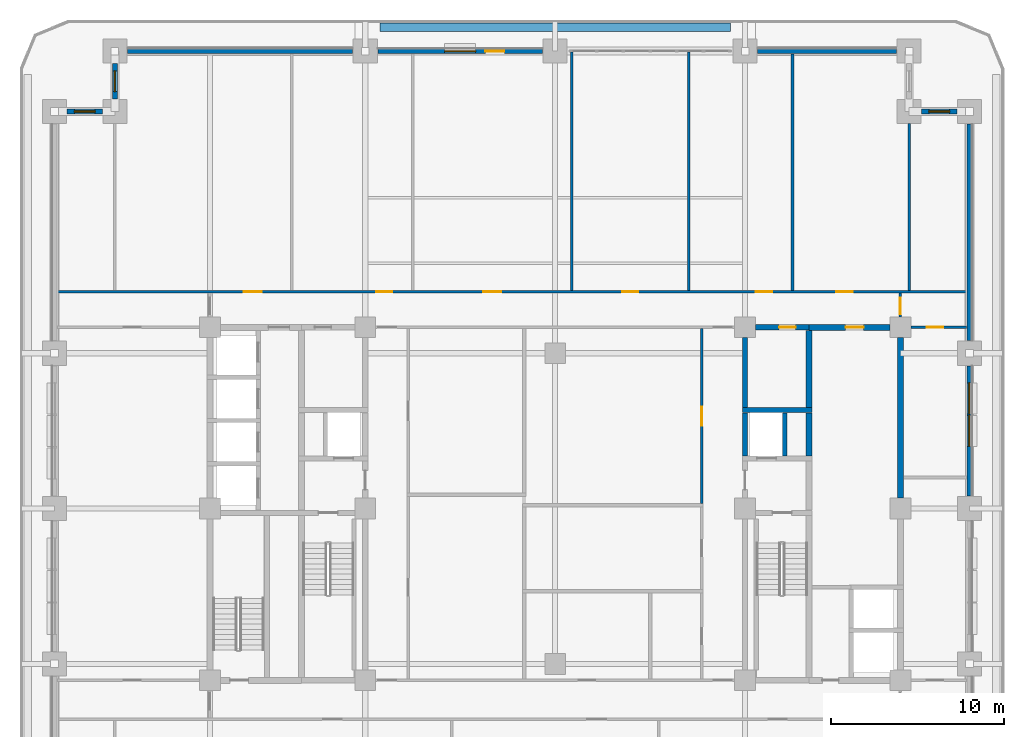
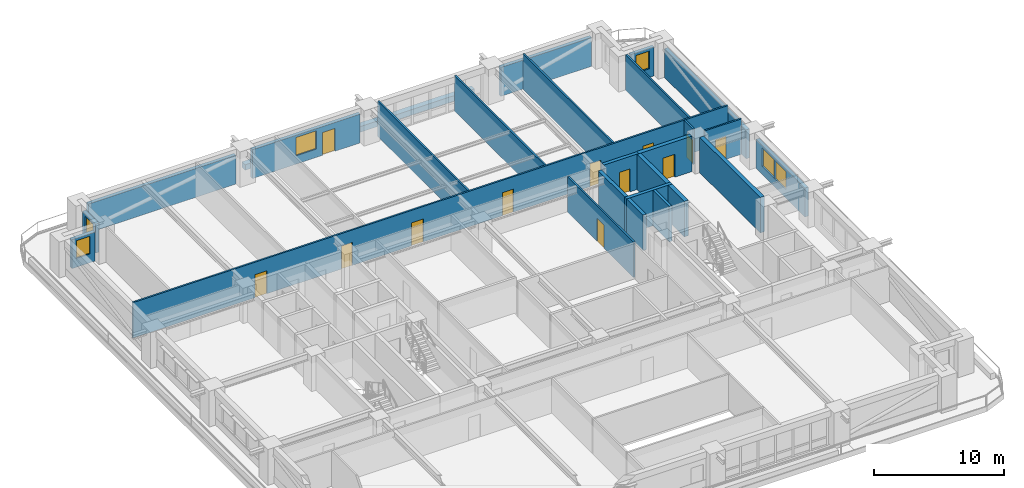
# One storey, part 11 of 20: 26 walls, 12 doors, 6 windows, 18 openings.
"""IFC4 building model written with IfcOpenShell, lengths in metres."""

from ifc_helpers import new_model, si_unit, direction, frame, frame_2d, origin, place, context, subcontext, project, spatial, rectangle, extrude, material, layer, layer_set, type_object, element, fill, save


model = new_model("IFC4")

# Units and contexts
model_context = context("Model", 3, precision=1e-05, world=origin(), true_north=direction((0.0, 1.0)))
body_context = subcontext(model_context, "Body", "Model", "MODEL_VIEW")
ifc_project = project(units=[si_unit("LENGTHUNIT", "METRE"), si_unit("AREAUNIT", "SQUARE_METRE"), si_unit("VOLUMEUNIT", "CUBIC_METRE"), si_unit("PLANEANGLEUNIT", "RADIAN"), si_unit("MASSUNIT", "GRAM", prefix="KILO")], contexts=[model_context])

# Site, building, storey
site_placement = place(None, origin())
site = spatial("IfcSite", under=ifc_project, at=site_placement, CompositionType="ELEMENT")
building_placement = place(site_placement, origin())
building = spatial("IfcBuilding", under=site, at=building_placement, Name="Zulmaris Gate Convention Tower", CompositionType="ELEMENT")
storey_placement = place(building_placement, frame((0.0, 0.0, 75.0400390625)))
storey = spatial("IfcBuildingStorey", under=building, at=storey_placement, Name="L18", CompositionType="ELEMENT", Elevation=75.0400390625)

# Walls
ifc_material_1 = material(Name="Concrete C50/60", Category="concrete")
ifc_layer_1 = layer(ifc_material_1, 0.25, Name="Concrete C50/60")
ifc_layer_set_1 = layer_set([ifc_layer_1], Name="Concrete C50/60")
wall_type_1 = type_object("IfcWallType", Name="CORE-250", PredefinedType="SOLIDWALL", material=ifc_layer_set_1)
wall_1_placement = place(storey_placement, frame((13.300048828125, 3.052001953125, 0.0), z_axis=(0.0, 0.0, 1.0), x_axis=(0.0, 1.0, 0.0)))
element("IfcWall", 1, at=wall_1_placement, inside=storey, type_object=wall_type_1, Name="WL-L18-060", PredefinedType="SOLIDWALL", context=body_context, shape_type="SweptSolid", body=[
    extrude(rectangle(XDim=2.49609375, YDim=0.25, at=frame_2d((1.248046875, 0.0))), origin(), (0.0, 0.0, 1.0), 3.31982421875),
])
ifc_layer_2 = layer(ifc_material_1, 0.300048828125, Name="Concrete C50/60")
ifc_layer_set_2 = layer_set([ifc_layer_2], Name="Concrete C50/60")
wall_type_2 = type_object("IfcWallType", Name="CORE-300", PredefinedType="SHEAR", material=ifc_layer_set_2)
wall_2_placement = place(storey_placement, frame((10.85009765625, 5.699951171875, 0.0), z_axis=(0.0, 0.0, 1.0), x_axis=(1.0, 0.0, 0.0)))
element("IfcWall", 2, at=wall_2_placement, inside=storey, type_object=wall_type_2, Name="WL-L18-014", PredefinedType="SHEAR", context=body_context, shape_type="SweptSolid", body=[
    extrude(rectangle(XDim=4.02490234375, YDim=0.300048828125, at=frame_2d((2.012451171875, 0.0))), origin(), (0.0, 0.0, 1.0), 3.31982421875),
])

# Wall, opening, door
wall_3_placement = place(storey_placement, frame((11.60400390625, 10.5, 0.0), z_axis=(0.0, 0.0, 1.0), x_axis=(1.0, 0.0, 0.0)))
wall_3 = element("IfcWall", 3, at=wall_3_placement, inside=storey, type_object=wall_type_2, Name="WL-L18-018", PredefinedType="SHEAR", context=body_context, shape_type="SweptSolid", body=[
    extrude(rectangle(XDim=3.095947265625, YDim=0.300048828125, at=frame_2d((1.5478515625, 0.0))), origin(), (0.0, 0.0, 1.0), 3.31982421875),
])
opening_1_placement = place(wall_3_placement, frame((1.37109375, 0.0, 0.0)))
opening_1 = element("IfcOpeningElement", 4, at=opening_1_placement, cuts=wall_3, Name="Opening D-11", PredefinedType="OPENING", context=body_context, shape_type="SweptSolid", body=[
    extrude(rectangle(XDim=0.949951171875, YDim=2.14990234375, at=frame_2d((0.47509765625, 1.074951171875))), frame((0.0, 0.16015625, 0.0), z_axis=(0.0, -1.0, 0.0), x_axis=(1.0, 0.0, 0.0)), (0.0, 0.0, 1.0), 0.320068359375),
])
ifc_material_2 = material(Name="Fire-Rated Timber", Category="wood")
door_type_1 = type_object("IfcDoorType", Name="DR-950-FD", OperationType="NOTDEFINED", PredefinedType="DOOR", material=ifc_material_2)
door_1_placement = place(opening_1_placement, origin())
door_1 = element("IfcDoor", 5, at=door_1_placement, inside=storey, type_object=door_type_1, Name="L18 Core Cleaners Store Door 08", OperationType="SINGLE_SWING_RIGHT", OverallHeight=2.14990234375, OverallWidth=0.949951171875, PredefinedType="DOOR", context=body_context, shape_type="SweptSolid", body=[
    extrude(rectangle(XDim=0.949951171875, YDim=2.14990234375, at=frame_2d((0.47509765625, 1.074951171875))), frame((0.0, 0.02490234375, 0.0), z_axis=(0.0, -1.0, 0.0), x_axis=(1.0, 0.0, 0.0)), (0.0, 0.0, 1.0), 0.050048828125),
])
fill(opening_1, door_1)

# Walls
wall_4_placement = place(storey_placement, frame((11.0, 3.052001953125, 0.0), z_axis=(0.0, 0.0, 1.0), x_axis=(0.0, 1.0, 0.0)))
element("IfcWall", 6, at=wall_4_placement, inside=storey, type_object=wall_type_2, Name="WL-L18-057", PredefinedType="SHEAR", context=body_context, shape_type="SweptSolid", body=[
    extrude(rectangle(XDim=2.49609375, YDim=0.300048828125, at=frame_2d((1.248046875, 0.0))), origin(), (0.0, 0.0, 1.0), 3.31982421875),
])
wall_5_placement = place(storey_placement, frame((11.0, 5.85205078125, 0.0), z_axis=(0.0, 0.0, 1.0), x_axis=(0.0, 1.0, 0.0)))
element("IfcWall", 7, at=wall_5_placement, inside=storey, type_object=wall_type_2, Name="WL-L18-058", PredefinedType="SHEAR", context=body_context, shape_type="SweptSolid", body=[
    extrude(rectangle(XDim=4.0439453125, YDim=0.300048828125, at=frame_2d((2.02197265625, 0.0))), origin(), (0.0, 0.0, 1.0), 3.31982421875),
])

# Wall, opening, door
ifc_material_3 = material(Name="Concrete C55/67", Category="concrete")
ifc_layer_3 = layer(ifc_material_3, 0.35009765625, Name="Concrete C55/67")
ifc_layer_set_3 = layer_set([ifc_layer_3], Name="Concrete C55/67")
wall_type_3 = type_object("IfcWallType", Name="CORE-350", PredefinedType="SHEAR", material=ifc_layer_set_3)
wall_6_placement = place(storey_placement, frame((14.699951171875, 10.5, 0.0), z_axis=(0.0, 0.0, 1.0), x_axis=(1.0, 0.0, 0.0)))
wall_6 = element("IfcWall", 8, at=wall_6_placement, inside=storey, type_object=wall_type_3, Name="WL-L18-019", PredefinedType="SHEAR", context=body_context, shape_type="SweptSolid", body=[
    extrude(rectangle(XDim=4.696044921875, YDim=0.35009765625, at=frame_2d((2.34814453125, 0.0))), origin(), (0.0, 0.0, 1.0), 3.31982421875),
])
opening_2_placement = place(wall_6_placement, frame((2.125, 0.0, 0.0)))
opening_2 = element("IfcOpeningElement", 9, at=opening_2_placement, cuts=wall_6, Name="Opening D-09", PredefinedType="OPENING", context=body_context, shape_type="SweptSolid", body=[
    extrude(rectangle(XDim=1.050048828125, YDim=2.14990234375, at=frame_2d((0.52490234375, 1.074951171875))), frame((0.0, 0.18505859375, 0.0), z_axis=(0.0, -1.0, 0.0), x_axis=(1.0, 0.0, 0.0)), (0.0, 0.0, 1.0), 0.3701171875),
])
ifc_material_4 = material(Name="Fire-Rated Steel", Category="steel")
door_type_2 = type_object("IfcDoorType", Name="DR-1050-FD", OperationType="NOTDEFINED", PredefinedType="DOOR", material=ifc_material_4)
door_2_placement = place(opening_2_placement, origin())
door_2 = element("IfcDoor", 10, at=door_2_placement, inside=storey, type_object=door_type_2, Name="L18 East Comms Room Door 16", OperationType="SINGLE_SWING_RIGHT", OverallHeight=2.14990234375, OverallWidth=1.050048828125, PredefinedType="DOOR", context=body_context, shape_type="SweptSolid", body=[
    extrude(rectangle(XDim=1.050048828125, YDim=2.14990234375, at=frame_2d((0.52490234375, 1.074951171875))), frame((0.0, 0.02490234375, 0.0), z_axis=(0.0, -1.0, 0.0), x_axis=(1.0, 0.0, 0.0)), (0.0, 0.0, 1.0), 0.050048828125),
])
fill(opening_2, door_2)

# Walls
wall_7_placement = place(storey_placement, frame((14.699951171875, 3.052001953125, 0.0), z_axis=(0.0, 0.0, 1.0), x_axis=(0.0, 1.0, 0.0)))
element("IfcWall", 11, at=wall_7_placement, inside=storey, type_object=wall_type_3, Name="WL-L18-063", PredefinedType="SHEAR", context=body_context, shape_type="SweptSolid", body=[
    extrude(rectangle(XDim=2.49609375, YDim=0.35009765625, at=frame_2d((1.248046875, 0.0))), origin(), (0.0, 0.0, 1.0), 3.31982421875),
])
wall_8_placement = place(storey_placement, frame((14.699951171875, 5.85205078125, 0.0), z_axis=(0.0, 0.0, 1.0), x_axis=(0.0, 1.0, 0.0)))
element("IfcWall", 12, at=wall_8_placement, inside=storey, type_object=wall_type_3, Name="WL-L18-064", PredefinedType="SHEAR", context=body_context, shape_type="SweptSolid", body=[
    extrude(rectangle(XDim=4.470947265625, YDim=0.35009765625, at=frame_2d((2.2353515625, 0.0))), origin(), (0.0, 0.0, 1.0), 3.31982421875),
])
wall_9_placement = place(storey_placement, frame((20.0, 0.60400390625, 0.0), z_axis=(0.0, 0.0, 1.0), x_axis=(0.0, 1.0, 0.0)))
element("IfcWall", 13, at=wall_9_placement, inside=storey, type_object=wall_type_3, Name="WL-L18-069S1", PredefinedType="SHEAR", context=body_context, shape_type="SweptSolid", body=[
    extrude(rectangle(XDim=9.2919921875, YDim=0.35009765625, at=frame_2d((4.64599609375, 0.0))), origin(), (0.0, 0.0, 1.0), 3.31982421875),
])

# Wall, opening, door
ifc_material_5 = material(Name="Gypsum Metal Stud Partition")
ifc_layer_4 = layer(ifc_material_5, 0.14990234375, Name="Gypsum Metal Stud Partition")
ifc_layer_set_4 = layer_set([ifc_layer_4], Name="Gypsum Metal Stud Partition")
wall_type_4 = type_object("IfcWallType", Name="PART-150", PredefinedType="PARTITIONING", material=ifc_layer_set_4)
wall_10_placement = place(storey_placement, frame((20.60595703125, 10.5, 0.0), z_axis=(0.0, 0.0, 1.0), x_axis=(1.0, 0.0, 0.0)))
wall_10 = element("IfcWall", 14, at=wall_10_placement, inside=storey, type_object=wall_type_4, Name="WL-L18-033", PredefinedType="PARTITIONING", context=body_context, shape_type="SweptSolid", body=[
    extrude(rectangle(XDim=3.22900390625, YDim=0.14990234375, at=frame_2d((1.614501953125, 0.0))), origin(), (0.0, 0.0, 1.0), 3.31982421875),
])
opening_3_placement = place(wall_10_placement, frame((0.9189453125, 0.0, 0.0)))
opening_3 = element("IfcOpeningElement", 15, at=opening_3_placement, cuts=wall_10, Name="Opening D-11", PredefinedType="OPENING", context=body_context, shape_type="SweptSolid", body=[
    extrude(rectangle(XDim=0.949951171875, YDim=2.14990234375, at=frame_2d((0.47509765625, 1.074951171875))), frame((0.0, 0.0849609375, 0.0), z_axis=(0.0, -1.0, 0.0), x_axis=(1.0, 0.0, 0.0)), (0.0, 0.0, 1.0), 0.169921875),
])
door_3_placement = place(opening_3_placement, origin())
door_3 = element("IfcDoor", 16, at=door_3_placement, inside=storey, type_object=door_type_1, Name="L18 NE Partner Door 44", OperationType="SINGLE_SWING_RIGHT", OverallHeight=2.14990234375, OverallWidth=0.949951171875, PredefinedType="DOOR", context=body_context, shape_type="SweptSolid", body=[
    extrude(rectangle(XDim=0.949951171875, YDim=2.14990234375, at=frame_2d((0.47509765625, 1.074951171875))), frame((0.0, 0.02490234375, 0.0), z_axis=(0.0, -1.0, 0.0), x_axis=(1.0, 0.0, 0.0)), (0.0, 0.0, 1.0), 0.050048828125),
])
fill(opening_3, door_3)

# Wall, openings, doors
wall_11_placement = place(storey_placement, frame((-28.8349609375, 12.550048828125, 0.0), z_axis=(0.0, 0.0, 1.0), x_axis=(1.0, 0.0, 0.0)))
wall_11 = element("IfcWall", 17, at=wall_11_placement, inside=storey, type_object=wall_type_4, Name="WL-L18-034", PredefinedType="PARTITIONING", context=body_context, shape_type="SweptSolid", body=[
    extrude(rectangle(XDim=52.669921875, YDim=0.14990234375, at=frame_2d((26.3349609375, 0.0))), origin(), (0.0, 0.0, 1.0), 3.31982421875),
])
opening_4_placement = place(wall_11_placement, frame((10.7900390625, 0.0, 0.0)))
opening_4 = element("IfcOpeningElement", 18, at=opening_4_placement, cuts=wall_11, Name="Opening D-09", PredefinedType="OPENING", context=body_context, shape_type="SweptSolid", body=[
    extrude(rectangle(XDim=1.050048828125, YDim=2.14990234375, at=frame_2d((0.52490234375, 1.074951171875))), frame((0.0, 0.0849609375, 0.0), z_axis=(0.0, -1.0, 0.0), x_axis=(1.0, 0.0, 0.0)), (0.0, 0.0, 1.0), 0.169921875),
])
opening_5_placement = place(wall_11_placement, frame((18.4599609375, 0.0, 0.0)))
opening_5 = element("IfcOpeningElement", 19, at=opening_5_placement, cuts=wall_11, Name="Opening D-11", PredefinedType="OPENING", context=body_context, shape_type="SweptSolid", body=[
    extrude(rectangle(XDim=0.949951171875, YDim=2.14990234375, at=frame_2d((0.47509765625, 1.074951171875))), frame((0.0, 0.0849609375, 0.0), z_axis=(0.0, -1.0, 0.0), x_axis=(1.0, 0.0, 0.0)), (0.0, 0.0, 1.0), 0.169921875),
])
opening_6_placement = place(wall_11_placement, frame((24.659912109375, 0.0, 0.0)))
opening_6 = element("IfcOpeningElement", 20, at=opening_6_placement, cuts=wall_11, Name="Opening D-09", PredefinedType="OPENING", context=body_context, shape_type="SweptSolid", body=[
    extrude(rectangle(XDim=1.050048828125, YDim=2.14990234375, at=frame_2d((0.52490234375, 1.074951171875))), frame((0.0, 0.0849609375, 0.0), z_axis=(0.0, -1.0, 0.0), x_axis=(1.0, 0.0, 0.0)), (0.0, 0.0, 1.0), 0.169921875),
])
opening_7_placement = place(wall_11_placement, frame((32.7099609375, 0.0, 0.0)))
opening_7 = element("IfcOpeningElement", 21, at=opening_7_placement, cuts=wall_11, Name="Opening D-11", PredefinedType="OPENING", context=body_context, shape_type="SweptSolid", body=[
    extrude(rectangle(XDim=0.949951171875, YDim=2.14990234375, at=frame_2d((0.47509765625, 1.074951171875))), frame((0.0, 0.0849609375, 0.0), z_axis=(0.0, -1.0, 0.0), x_axis=(1.0, 0.0, 0.0)), (0.0, 0.0, 1.0), 0.169921875),
])
opening_8_placement = place(wall_11_placement, frame((40.4599609375, 0.0, 0.0)))
opening_8 = element("IfcOpeningElement", 22, at=opening_8_placement, cuts=wall_11, Name="Opening D-11", PredefinedType="OPENING", context=body_context, shape_type="SweptSolid", body=[
    extrude(rectangle(XDim=0.949951171875, YDim=2.14990234375, at=frame_2d((0.47509765625, 1.074951171875))), frame((0.0, 0.0849609375, 0.0), z_axis=(0.0, -1.0, 0.0), x_axis=(1.0, 0.0, 0.0)), (0.0, 0.0, 1.0), 0.169921875),
])
opening_9_placement = place(wall_11_placement, frame((45.1298828125, 0.0, 0.0)))
opening_9 = element("IfcOpeningElement", 23, at=opening_9_placement, cuts=wall_11, Name="Opening D-11", PredefinedType="OPENING", context=body_context, shape_type="SweptSolid", body=[
    extrude(rectangle(XDim=0.949951171875, YDim=2.14990234375, at=frame_2d((0.47509765625, 1.074951171875))), frame((0.0, 0.0849609375, 0.0), z_axis=(0.0, -1.0, 0.0), x_axis=(1.0, 0.0, 0.0)), (0.0, 0.0, 1.0), 0.169921875),
])
door_4_placement = place(opening_4_placement, origin())
door_4 = element("IfcDoor", 24, at=door_4_placement, inside=storey, type_object=door_type_2, Name="L18 Delegate Business Lounge Door 21", OperationType="SINGLE_SWING_LEFT", OverallHeight=2.14990234375, OverallWidth=1.050048828125, PredefinedType="DOOR", context=body_context, shape_type="SweptSolid", body=[
    extrude(rectangle(XDim=1.050048828125, YDim=2.14990234375, at=frame_2d((0.52490234375, 1.074951171875))), frame((0.0, 0.02490234375, 0.0), z_axis=(0.0, -1.0, 0.0), x_axis=(1.0, 0.0, 0.0)), (0.0, 0.0, 1.0), 0.050048828125),
])
fill(opening_4, door_4)
door_5_placement = place(opening_6_placement, origin())
door_5 = element("IfcDoor", 25, at=door_5_placement, inside=storey, type_object=door_type_2, Name="L18 Regional Corporate Office Door 23", OperationType="SINGLE_SWING_LEFT", OverallHeight=2.14990234375, OverallWidth=1.050048828125, PredefinedType="DOOR", context=body_context, shape_type="SweptSolid", body=[
    extrude(rectangle(XDim=1.050048828125, YDim=2.14990234375, at=frame_2d((0.52490234375, 1.074951171875))), frame((0.0, 0.02490234375, 0.0), z_axis=(0.0, -1.0, 0.0), x_axis=(1.0, 0.0, 0.0)), (0.0, 0.0, 1.0), 0.050048828125),
])
fill(opening_6, door_5)
door_6_placement = place(opening_5_placement, origin())
door_6 = element("IfcDoor", 26, at=door_6_placement, inside=storey, type_object=door_type_1, Name="L18 Commercial Advisory Office Door 22", OperationType="SINGLE_SWING_RIGHT", OverallHeight=2.14990234375, OverallWidth=0.949951171875, PredefinedType="DOOR", context=body_context, shape_type="SweptSolid", body=[
    extrude(rectangle(XDim=0.949951171875, YDim=2.14990234375, at=frame_2d((0.47509765625, 1.074951171875))), frame((0.0, 0.02490234375, 0.0), z_axis=(0.0, -1.0, 0.0), x_axis=(1.0, 0.0, 0.0)), (0.0, 0.0, 1.0), 0.050048828125),
])
fill(opening_5, door_6)
door_7_placement = place(opening_7_placement, origin())
door_7 = element("IfcDoor", 27, at=door_7_placement, inside=storey, type_object=door_type_1, Name="L18 Client Practice Studio Door 24", OperationType="SINGLE_SWING_RIGHT", OverallHeight=2.14990234375, OverallWidth=0.949951171875, PredefinedType="DOOR", context=body_context, shape_type="SweptSolid", body=[
    extrude(rectangle(XDim=0.949951171875, YDim=2.14990234375, at=frame_2d((0.47509765625, 1.074951171875))), frame((0.0, 0.02490234375, 0.0), z_axis=(0.0, -1.0, 0.0), x_axis=(1.0, 0.0, 0.0)), (0.0, 0.0, 1.0), 0.050048828125),
])
fill(opening_7, door_7)
door_8_placement = place(opening_8_placement, origin())
door_8 = element("IfcDoor", 28, at=door_8_placement, inside=storey, type_object=door_type_1, Name="L18 Delegate Business Lounge Door 25", OperationType="SINGLE_SWING_LEFT", OverallHeight=2.14990234375, OverallWidth=0.949951171875, PredefinedType="DOOR", context=body_context, shape_type="SweptSolid", body=[
    extrude(rectangle(XDim=0.949951171875, YDim=2.14990234375, at=frame_2d((0.47509765625, 1.074951171875))), frame((0.0, 0.02490234375, 0.0), z_axis=(0.0, -1.0, 0.0), x_axis=(1.0, 0.0, 0.0)), (0.0, 0.0, 1.0), 0.050048828125),
])
fill(opening_8, door_8)
door_9_placement = place(opening_9_placement, origin())
door_9 = element("IfcDoor", 29, at=door_9_placement, inside=storey, type_object=door_type_1, Name="L18 Commercial Advisory Office Door 26", OperationType="SINGLE_SWING_RIGHT", OverallHeight=2.14990234375, OverallWidth=0.949951171875, PredefinedType="DOOR", context=body_context, shape_type="SweptSolid", body=[
    extrude(rectangle(XDim=0.949951171875, YDim=2.14990234375, at=frame_2d((0.47509765625, 1.074951171875))), frame((0.0, 0.02490234375, 0.0), z_axis=(0.0, -1.0, 0.0), x_axis=(1.0, 0.0, 0.0)), (0.0, 0.0, 1.0), 0.050048828125),
])
fill(opening_9, door_9)

# Walls
for number, where, z_axis, x_axis, name in (
    (30, (0.949951171875, 12.6279296875, 0.0), (0.0, 0.0, 1.0), (0.0, 1.0, 0.0), "WL-L18-085"),
    (31, (7.75, 12.6279296875, 0.0), (0.0, 0.0, 1.0), (0.0, 1.0, 0.0), "WL-L18-090"),
):
    element("IfcWall", number, at=place(storey_placement, frame(where, z_axis=z_axis, x_axis=x_axis)), inside=storey, type_object=wall_type_4, Name=name, PredefinedType="PARTITIONING", context=body_context, shape_type="SweptSolid", body=[
        extrude(rectangle(XDim=13.81201171875, YDim=0.14990234375, at=frame_2d((6.906005859375, 0.0))), origin(), (0.0, 0.0, 1.0), 3.31982421875),
    ])

# Wall, opening, door
wall_12_placement = place(storey_placement, frame((8.5, 0.302978515625, 0.0), z_axis=(0.0, 0.0, 1.0), x_axis=(0.0, 1.0, 0.0)))
wall_12 = element("IfcWall", 32, at=wall_12_placement, inside=storey, type_object=wall_type_4, Name="WL-L18-093", PredefinedType="PARTITIONING", context=body_context, shape_type="SweptSolid", body=[
    extrude(rectangle(XDim=10.119140625, YDim=0.14990234375, at=frame_2d((5.0595703125, 0.0))), origin(), (0.0, 0.0, 1.0), 3.31982421875),
])
opening_10_placement = place(wall_12_placement, frame((4.4970703125, 0.0, 0.0)))
opening_10 = element("IfcOpeningElement", 33, at=opening_10_placement, cuts=wall_12, Name="Opening D-08", PredefinedType="OPENING", context=body_context, shape_type="SweptSolid", body=[
    extrude(rectangle(XDim=1.10009765625, YDim=2.14990234375, at=frame_2d((0.550048828125, 1.074951171875))), frame((0.0, 0.0849609375, 0.0), z_axis=(0.0, -1.0, 0.0), x_axis=(1.0, 0.0, 0.0)), (0.0, 0.0, 1.0), 0.169921875),
])
door_type_3 = type_object("IfcDoorType", Name="DR-1100-FD", OperationType="NOTDEFINED", PredefinedType="DOOR", material=ifc_material_4)
door_10_placement = place(opening_10_placement, origin())
door_10 = element("IfcDoor", 34, at=door_10_placement, inside=storey, type_object=door_type_3, Name="L18 Seminar Forum Door 34", OperationType="SINGLE_SWING_RIGHT", OverallHeight=2.14990234375, OverallWidth=1.10009765625, PredefinedType="DOOR", context=body_context, shape_type="SweptSolid", body=[
    extrude(rectangle(XDim=1.10009765625, YDim=2.14990234375, at=frame_2d((0.550048828125, 1.074951171875))), frame((0.0, 0.02490234375, 0.0), z_axis=(0.0, -1.0, 0.0), x_axis=(1.0, 0.0, 0.0)), (0.0, 0.0, 1.0), 0.050048828125),
])
fill(opening_10, door_10)

# Wall
wall_13_placement = place(storey_placement, frame((13.75, 12.6279296875, 0.0), z_axis=(0.0, 0.0, 1.0), x_axis=(0.0, 1.0, 0.0)))
element("IfcWall", 35, at=wall_13_placement, inside=storey, type_object=wall_type_4, Name="WL-L18-094", PredefinedType="PARTITIONING", context=body_context, shape_type="SweptSolid", body=[
    extrude(rectangle(XDim=13.70703125, YDim=0.14990234375, at=frame_2d((6.853515625, 0.0))), origin(), (0.0, 0.0, 1.0), 3.31982421875),
])

# Wall, opening, door
wall_14_placement = place(storey_placement, frame((20.0, 11.10595703125, 0.0), z_axis=(0.0, 0.0, 1.0), x_axis=(0.0, 1.0, 0.0)))
wall_14 = element("IfcWall", 36, at=wall_14_placement, inside=storey, type_object=wall_type_4, Name="WL-L18-096", PredefinedType="PARTITIONING", context=body_context, shape_type="SweptSolid", body=[
    extrude(rectangle(XDim=1.365966796875, YDim=0.14990234375, at=frame_2d((0.68310546875, 0.0))), origin(), (0.0, 0.0, 1.0), 3.31982421875),
])
opening_11_placement = place(wall_14_placement, frame((0.14990234375, 0.0, 0.0)))
opening_11 = element("IfcOpeningElement", 37, at=opening_11_placement, cuts=wall_14, Name="Opening D-11", PredefinedType="OPENING", context=body_context, shape_type="SweptSolid", body=[
    extrude(rectangle(XDim=0.949951171875, YDim=2.14990234375, at=frame_2d((0.47509765625, 1.074951171875))), frame((0.0, 0.0849609375, 0.0), z_axis=(0.0, -1.0, 0.0), x_axis=(1.0, 0.0, 0.0)), (0.0, 0.0, 1.0), 0.169921875),
])
door_11_placement = place(opening_11_placement, origin())
door_11 = element("IfcDoor", 38, at=door_11_placement, inside=storey, type_object=door_type_1, Name="L18 NE Spur Door 42", OperationType="SINGLE_SWING_RIGHT", OverallHeight=2.14990234375, OverallWidth=0.949951171875, PredefinedType="DOOR", context=body_context, shape_type="SweptSolid", body=[
    extrude(rectangle(XDim=0.949951171875, YDim=2.14990234375, at=frame_2d((0.47509765625, 1.074951171875))), frame((0.0, 0.02490234375, 0.0), z_axis=(0.0, -1.0, 0.0), x_axis=(1.0, 0.0, 0.0)), (0.0, 0.0, 1.0), 0.050048828125),
])
fill(opening_11, door_11)

# Walls
wall_15_placement = place(storey_placement, frame((20.5, 12.6279296875, 0.0), z_axis=(0.0, 0.0, 1.0), x_axis=(0.0, 1.0, 0.0)))
element("IfcWall", 39, at=wall_15_placement, inside=storey, type_object=wall_type_4, Name="WL-L18-098", PredefinedType="PARTITIONING", context=body_context, shape_type="SweptSolid", body=[
    extrude(rectangle(XDim=9.666015625, YDim=0.14990234375, at=frame_2d((4.8330078125, 0.0))), origin(), (0.0, 0.0, 1.0), 3.31982421875),
])
ifc_material_6 = material(Name="Botanical Green Glazed Precast Concrete C40/50", Category="concrete")
ifc_layer_5 = layer(ifc_material_6, 0.419921875, Name="Botanical Green Glazed Precast Concrete C40/50")
ifc_layer_set_5 = layer_set([ifc_layer_5], Name="Botanical Green Glazed Precast Concrete C40/50")
wall_type_5 = type_object("IfcWallType", Name="PLANTER-CURB-200", PredefinedType="PARAPET", material=ifc_layer_set_5)
wall_16_placement = place(storey_placement, frame((-10.14990234375, 27.8798828125, -0.0400390625), z_axis=(0.0, 0.0, 1.0), x_axis=(1.0, 0.0, 0.0)))
element("IfcWall", 40, at=wall_16_placement, inside=storey, type_object=wall_type_5, Name="L18 Full-Length Balcony Tree Planter Trough", PredefinedType="PARAPET", context=body_context, shape_type="SweptSolid", body=[
    extrude(rectangle(XDim=20.2998046875, YDim=0.47998046875, at=frame_2d((10.14990234375, 0.0))), origin(), (0.0, 0.0, 1.0), 0.52001953125),
])

# Wall, opening, window
ifc_material_7 = material(Name="Precast concrete C40/50", Category="concrete")
ifc_layer_6 = layer(ifc_material_7, 0.300048828125, Name="Precast concrete C40/50")
ifc_layer_set_6 = layer_set([ifc_layer_6], Name="Precast concrete C40/50")
wall_type_6 = type_object("IfcWallType", Name="PRECAST-PIER-300", PredefinedType="STANDARD", material=ifc_layer_set_6)
wall_17_placement = place(storey_placement, frame((23.27001953125, 23.0, 0.0), z_axis=(0.0, 0.0, 1.0), x_axis=(-1.0, 0.0, 0.0)))
wall_17 = element("IfcWall", 41, at=wall_17_placement, inside=storey, type_object=wall_type_6, Name="EW-L18-NOTCH-NE1_0", PredefinedType="STANDARD", context=body_context, shape_type="SweptSolid", body=[
    extrude(rectangle(XDim=2.0400390625, YDim=0.300048828125, at=frame_2d((1.02001953125, 0.0))), origin(), (0.0, 0.0, 1.0), 2.7119140625),
])
opening_12_placement = place(wall_17_placement, frame((0.419921875, 0.0, 0.820068359375)))
opening_12 = element("IfcOpeningElement", 42, at=opening_12_placement, cuts=wall_17, Name="Opening W-04", PredefinedType="OPENING", context=body_context, shape_type="SweptSolid", body=[
    extrude(rectangle(XDim=1.199951171875, YDim=1.64990234375, at=frame_2d((0.60009765625, 0.824951171875))), frame((0.0, 0.16015625, 0.0), z_axis=(0.0, -1.0, 0.0), x_axis=(1.0, 0.0, 0.0)), (0.0, 0.0, 1.0), 0.320068359375),
])
ifc_material_8 = material(Name="Low-E Laminated Double Glazing in Aluminium Frame", Category="aluminium")
window_type_1 = type_object("IfcWindowType", Name="WIN-1200x2100", PartitioningType="SINGLE_PANEL", PredefinedType="WINDOW", material=ifc_material_8)
window_1_placement = place(opening_12_placement, origin())
window_1 = element("IfcWindow", 43, at=window_1_placement, inside=storey, type_object=window_type_1, Name="WN-EW-L18-NOTCH-NE1_0", OverallHeight=1.64990234375, OverallWidth=1.199951171875, PartitioningType="SINGLE_PANEL", PredefinedType="WINDOW", context=body_context, shape_type="SweptSolid", body=[
    extrude(rectangle(XDim=1.199951171875, YDim=1.64990234375, at=frame_2d((0.60009765625, 0.824951171875))), frame((0.0, 0.030029296875, 0.0), z_axis=(0.0, -1.0, 0.0), x_axis=(1.0, 0.0, 0.0)), (0.0, 0.0, 1.0), 0.06005859375),
])
fill(opening_12, window_1)

wall_18_placement = place(storey_placement, frame((-25.5, 25.77001953125, 0.0), z_axis=(0.0, 0.0, 1.0), x_axis=(0.0, -1.0, 0.0)))
wall_18 = element("IfcWall", 44, at=wall_18_placement, inside=storey, type_object=wall_type_6, Name="EW-L18-NOTCH-NW1_0", PredefinedType="STANDARD", context=body_context, shape_type="SweptSolid", body=[
    extrude(rectangle(XDim=2.0400390625, YDim=0.300048828125, at=frame_2d((1.02001953125, 0.0))), origin(), (0.0, 0.0, 1.0), 2.7119140625),
])
opening_13_placement = place(wall_18_placement, frame((0.419921875, 0.0, 0.820068359375)))
opening_13 = element("IfcOpeningElement", 45, at=opening_13_placement, cuts=wall_18, Name="Opening W-04", PredefinedType="OPENING", context=body_context, shape_type="SweptSolid", body=[
    extrude(rectangle(XDim=1.199951171875, YDim=1.64990234375, at=frame_2d((0.60009765625, 0.824951171875))), frame((0.0, 0.16015625, 0.0), z_axis=(0.0, -1.0, 0.0), x_axis=(1.0, 0.0, 0.0)), (0.0, 0.0, 1.0), 0.320068359375),
])
window_2_placement = place(opening_13_placement, origin())
window_2 = element("IfcWindow", 46, at=window_2_placement, inside=storey, type_object=window_type_1, Name="WN-EW-L18-NOTCH-NW1_0", OverallHeight=1.64990234375, OverallWidth=1.199951171875, PartitioningType="SINGLE_PANEL", PredefinedType="WINDOW", context=body_context, shape_type="SweptSolid", body=[
    extrude(rectangle(XDim=1.199951171875, YDim=1.64990234375, at=frame_2d((0.60009765625, 0.824951171875))), frame((0.0, 0.030029296875, 0.0), z_axis=(0.0, -1.0, 0.0), x_axis=(1.0, 0.0, 0.0)), (0.0, 0.0, 1.0), 0.06005859375),
])
fill(opening_13, window_2)

wall_19_placement = place(storey_placement, frame((-26.22998046875, 23.0, 0.0), z_axis=(0.0, 0.0, 1.0), x_axis=(-1.0, 0.0, 0.0)))
wall_19 = element("IfcWall", 47, at=wall_19_placement, inside=storey, type_object=wall_type_6, Name="EW-L18-NOTCH-NW2_0", PredefinedType="STANDARD", context=body_context, shape_type="SweptSolid", body=[
    extrude(rectangle(XDim=2.0400390625, YDim=0.300048828125, at=frame_2d((1.02001953125, 0.0))), origin(), (0.0, 0.0, 1.0), 2.7119140625),
])
opening_14_placement = place(wall_19_placement, frame((0.419921875, 0.0, 0.820068359375)))
opening_14 = element("IfcOpeningElement", 48, at=opening_14_placement, cuts=wall_19, Name="Opening W-04", PredefinedType="OPENING", context=body_context, shape_type="SweptSolid", body=[
    extrude(rectangle(XDim=1.199951171875, YDim=1.64990234375, at=frame_2d((0.60009765625, 0.824951171875))), frame((0.0, 0.16015625, 0.0), z_axis=(0.0, -1.0, 0.0), x_axis=(1.0, 0.0, 0.0)), (0.0, 0.0, 1.0), 0.320068359375),
])
window_3_placement = place(opening_14_placement, origin())
window_3 = element("IfcWindow", 49, at=window_3_placement, inside=storey, type_object=window_type_1, Name="WN-EW-L18-NOTCH-NW2_0", OverallHeight=1.64990234375, OverallWidth=1.199951171875, PartitioningType="SINGLE_PANEL", PredefinedType="WINDOW", context=body_context, shape_type="SweptSolid", body=[
    extrude(rectangle(XDim=1.199951171875, YDim=1.64990234375, at=frame_2d((0.60009765625, 0.824951171875))), frame((0.0, 0.030029296875, 0.0), z_axis=(0.0, -1.0, 0.0), x_axis=(1.0, 0.0, 0.0)), (0.0, 0.0, 1.0), 0.06005859375),
])
fill(opening_14, window_3)

# Wall
wall_20_placement = place(storey_placement, frame((-11.72998046875, 26.5, 0.0), z_axis=(0.0, 0.0, 1.0), x_axis=(-1.0, 0.0, 0.0)))
element("IfcWall", 50, at=wall_20_placement, inside=storey, type_object=wall_type_6, Name="EW-L18-N-0_0", PredefinedType="STANDARD", context=body_context, shape_type="SweptSolid", body=[
    extrude(rectangle(XDim=13.0400390625, YDim=0.300048828125, at=frame_2d((6.52001953125, 0.0))), origin(), (0.0, 0.0, 1.0), 2.7119140625),
])

# Wall, openings, door, window
wall_21_placement = place(storey_placement, frame((-0.72998046875, 26.5, 0.0), z_axis=(0.0, 0.0, 1.0), x_axis=(-1.0, 0.0, 0.0)))
wall_21 = element("IfcWall", 51, at=wall_21_placement, inside=storey, type_object=wall_type_6, Name="EW-L18-N-1_0", PredefinedType="STANDARD", context=body_context, shape_type="SweptSolid", body=[
    extrude(rectangle(XDim=9.5400390625, YDim=0.300048828125, at=frame_2d((4.77001953125, 0.0))), origin(), (0.0, 0.0, 1.0), 2.7119140625),
])
opening_15_placement = place(wall_21_placement, frame((2.2099609375, 0.0, 0.0)))
opening_15 = element("IfcOpeningElement", 52, at=opening_15_placement, cuts=wall_21, Name="Opening D-04", PredefinedType="OPENING", context=body_context, shape_type="SweptSolid", body=[
    extrude(rectangle(XDim=1.10009765625, YDim=2.14990234375, at=frame_2d((0.550048828125, 1.074951171875))), frame((0.0, 0.16015625, 0.0), z_axis=(0.0, -1.0, 0.0), x_axis=(1.0, 0.0, 0.0)), (0.0, 0.0, 1.0), 0.320068359375),
])
opening_16_placement = place(wall_21_placement, frame((3.8701171875, 0.0, 0.780029296875)))
opening_16 = element("IfcOpeningElement", 53, at=opening_16_placement, cuts=wall_21, Name="Opening W-02", PredefinedType="OPENING", context=body_context, shape_type="SweptSolid", body=[
    extrude(rectangle(XDim=1.800048828125, YDim=1.719970703125, at=frame_2d((0.89990234375, 0.85986328125))), frame((0.0, 0.16015625, 0.0), z_axis=(0.0, -1.0, 0.0), x_axis=(1.0, 0.0, 0.0)), (0.0, 0.0, 1.0), 0.320068359375),
])
ifc_material_9 = material(Name="Anodised Aluminium and Laminated Glass", Category="aluminium")
door_type_4 = type_object("IfcDoorType", Name="ED-1100", OperationType="SINGLE_SWING_RIGHT", PredefinedType="DOOR", material=ifc_material_9)
door_12_placement = place(opening_15_placement, origin())
door_12 = element("IfcDoor", 54, at=door_12_placement, inside=storey, type_object=door_type_4, Name="L18 N Planted Terrace Door", OperationType="SINGLE_SWING_LEFT", OverallHeight=2.14990234375, OverallWidth=1.10009765625, PredefinedType="DOOR", context=body_context, shape_type="SweptSolid", body=[
    extrude(rectangle(XDim=1.10009765625, YDim=2.14990234375, at=frame_2d((0.550048828125, 1.074951171875))), frame((0.0, 0.02490234375, 0.0), z_axis=(0.0, -1.0, 0.0), x_axis=(1.0, 0.0, 0.0)), (0.0, 0.0, 1.0), 0.050048828125),
])
fill(opening_15, door_12)
window_type_2 = type_object("IfcWindowType", Name="WIN-1800x2200", PartitioningType="SINGLE_PANEL", PredefinedType="WINDOW", material=ifc_material_8)
window_4_placement = place(opening_16_placement, origin())
window_4 = element("IfcWindow", 55, at=window_4_placement, inside=storey, type_object=window_type_2, Name="WN-EW-L18-N-1_0-2", OverallHeight=1.719970703125, OverallWidth=1.800048828125, PartitioningType="SINGLE_PANEL", PredefinedType="WINDOW", context=body_context, shape_type="SweptSolid", body=[
    extrude(rectangle(XDim=1.800048828125, YDim=1.719970703125, at=frame_2d((0.89990234375, 0.85986328125))), frame((0.0, 0.030029296875, 0.0), z_axis=(0.0, -1.0, 0.0), x_axis=(1.0, 0.0, 0.0)), (0.0, 0.0, 1.0), 0.06005859375),
])
fill(opening_16, window_4)

# Wall
wall_22_placement = place(storey_placement, frame((19.77001953125, 26.5, 0.0), z_axis=(0.0, 0.0, 1.0), x_axis=(-1.0, 0.0, 0.0)))
element("IfcWall", 56, at=wall_22_placement, inside=storey, type_object=wall_type_6, Name="EW-L18-N-3_0", PredefinedType="STANDARD", context=body_context, shape_type="SweptSolid", body=[
    extrude(rectangle(XDim=8.0400390625, YDim=0.300048828125, at=frame_2d((4.02001953125, 0.0))), origin(), (0.0, 0.0, 1.0), 2.7119140625),
])

# Wall, openings, windows
wall_23_placement = place(storey_placement, frame((24.0, 0.72998046875, 0.0), z_axis=(0.0, 0.0, 1.0), x_axis=(0.0, 1.0, 0.0)))
wall_23 = element("IfcWall", 57, at=wall_23_placement, inside=storey, type_object=wall_type_6, Name="EW-L18-E-2_0", PredefinedType="STANDARD", context=body_context, shape_type="SweptSolid", body=[
    extrude(rectangle(XDim=7.5400390625, YDim=0.300048828125, at=frame_2d((3.77001953125, 0.0))), origin(), (0.0, 0.0, 1.0), 2.7119140625),
])
opening_17_placement = place(wall_23_placement, frame((2.8701171875, 0.0, 0.780029296875)))
opening_17 = element("IfcOpeningElement", 58, at=opening_17_placement, cuts=wall_23, Name="Opening W-02", PredefinedType="OPENING", context=body_context, shape_type="SweptSolid", body=[
    extrude(rectangle(XDim=1.800048828125, YDim=1.719970703125, at=frame_2d((0.89990234375, 0.85986328125))), frame((0.0, 0.16015625, 0.0), z_axis=(0.0, -1.0, 0.0), x_axis=(1.0, 0.0, 0.0)), (0.0, 0.0, 1.0), 0.320068359375),
])
opening_18_placement = place(wall_23_placement, frame((4.7548828125, 0.0, 0.780029296875)))
opening_18 = element("IfcOpeningElement", 59, at=opening_18_placement, cuts=wall_23, Name="Opening W-02", PredefinedType="OPENING", context=body_context, shape_type="SweptSolid", body=[
    extrude(rectangle(XDim=1.800048828125, YDim=1.719970703125, at=frame_2d((0.89990234375, 0.85986328125))), frame((0.0, 0.16015625, 0.0), z_axis=(0.0, -1.0, 0.0), x_axis=(1.0, 0.0, 0.0)), (0.0, 0.0, 1.0), 0.320068359375),
])
window_5_placement = place(opening_17_placement, origin())
window_5 = element("IfcWindow", 60, at=window_5_placement, inside=storey, type_object=window_type_2, Name="WN-EW-L18-E-2_0-2", OverallHeight=1.719970703125, OverallWidth=1.800048828125, PartitioningType="SINGLE_PANEL", PredefinedType="WINDOW", context=body_context, shape_type="SweptSolid", body=[
    extrude(rectangle(XDim=1.800048828125, YDim=1.719970703125, at=frame_2d((0.89990234375, 0.85986328125))), frame((0.0, 0.030029296875, 0.0), z_axis=(0.0, -1.0, 0.0), x_axis=(1.0, 0.0, 0.0)), (0.0, 0.0, 1.0), 0.06005859375),
])
fill(opening_17, window_5)
window_6_placement = place(opening_18_placement, origin())
window_6 = element("IfcWindow", 61, at=window_6_placement, inside=storey, type_object=window_type_2, Name="WN-EW-L18-E-2_0-3", OverallHeight=1.719970703125, OverallWidth=1.800048828125, PartitioningType="SINGLE_PANEL", PredefinedType="WINDOW", context=body_context, shape_type="SweptSolid", body=[
    extrude(rectangle(XDim=1.800048828125, YDim=1.719970703125, at=frame_2d((0.89990234375, 0.85986328125))), frame((0.0, 0.030029296875, 0.0), z_axis=(0.0, -1.0, 0.0), x_axis=(1.0, 0.0, 0.0)), (0.0, 0.0, 1.0), 0.06005859375),
])
fill(opening_18, window_6)

# Wall
wall_24_placement = place(storey_placement, frame((24.0, 9.72998046875, 0.0), z_axis=(0.0, 0.0, 1.0), x_axis=(0.0, 1.0, 0.0)))
element("IfcWall", 62, at=wall_24_placement, inside=storey, type_object=wall_type_6, Name="EW-L18-E-3_0", PredefinedType="STANDARD", context=body_context, shape_type="SweptSolid", body=[
    extrude(rectangle(XDim=12.5400390625, YDim=0.300048828125, at=frame_2d((6.27001953125, 0.0))), origin(), (0.0, 0.0, 1.0), 2.7119140625),
])

save(model, "model.ifc")
